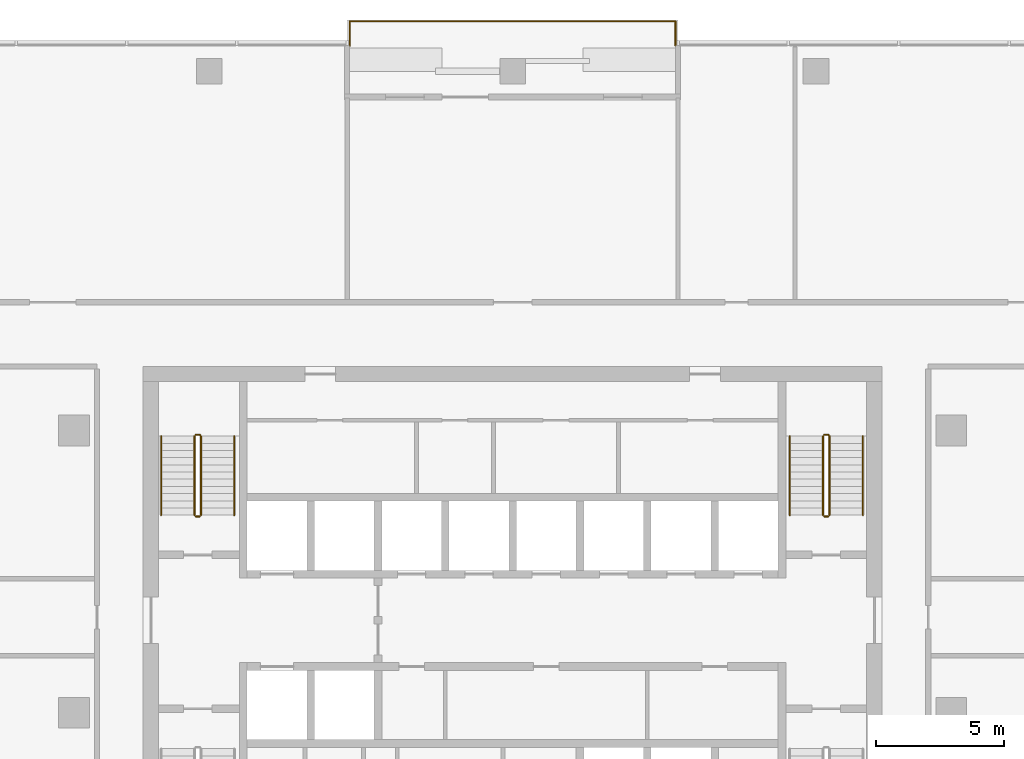
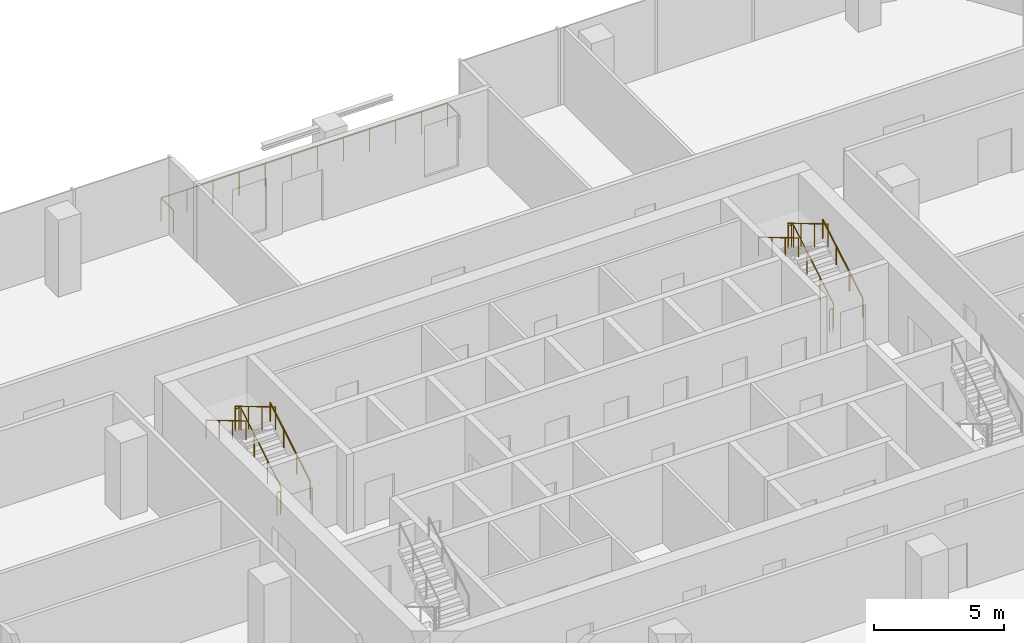
# One storey, part 13 of 13: 11 railings.
"""IFC4 building model written with IfcOpenShell, lengths in metres."""

from ifc_helpers import new_model, si_unit, direction, frame, origin, origin_2d, place, context, subcontext, project, spatial, circle, extrude, material, type_object, element, save


model = new_model("IFC4")

# Units and contexts
model_context = context("Model", 3, precision=1e-05, world=origin(), true_north=direction((0.0, 1.0)))
body_context = subcontext(model_context, "Body", "Model", "MODEL_VIEW")
ifc_project = project(units=[si_unit("LENGTHUNIT", "METRE"), si_unit("AREAUNIT", "SQUARE_METRE"), si_unit("VOLUMEUNIT", "CUBIC_METRE"), si_unit("PLANEANGLEUNIT", "RADIAN"), si_unit("MASSUNIT", "GRAM", prefix="KILO")], contexts=[model_context])

# Site, building, storey
site_placement = place(None, origin())
site = spatial("IfcSite", under=ifc_project, at=site_placement, CompositionType="ELEMENT")
building_placement = place(site_placement, origin())
building = spatial("IfcBuilding", under=site, at=building_placement, Name="Mopane Tessera Tower", CompositionType="ELEMENT")
storey_placement = place(building_placement, frame((0.0, 0.0, 283.39990234375)))
storey = spatial("IfcBuildingStorey", under=building, at=storey_placement, Name="L61", CompositionType="ELEMENT", Elevation=283.39990234375)

# Railings
ifc_material_1 = material(Name="Powder-coated steel balustrade", Category="steel")
railing_type_1 = type_object("IfcRailingType", Name="Escape stair guard 1100 mm", PredefinedType="GUARDRAIL", material=ifc_material_1)
railing_1_placement = place(storey_placement, frame((-12.14990234375, 7.699951171875, 0.166748046875)))
element("IfcRailing", 1, at=railing_1_placement, inside=storey, type_object=railing_type_1, Name="L61 ST2 stair guard 1", PredefinedType="GUARDRAIL", context=body_context, shape_type="SweptSolid", body=[
    extrude(circle(Radius=0.02392578125, at=origin_2d()), frame((0.0, 0.0, 1.076171875), z_axis=(0.0, 0.859308565015, 0.511457515432), x_axis=(-1.0, 0.0, 0.0)), (0.0, 0.0, 1.0), 3.58447265625),
    extrude(circle(Radius=0.02392578125, at=origin_2d()), frame((0.0, 3.080078125, 2.9091796875), z_axis=(-0.707106781187, 0.707106781187, 0.0), x_axis=(-0.707106781187, -0.707106781187, 0.0)), (0.0, 0.0, 1.0), 0.07080078125),
    extrude(circle(Radius=0.02392578125, at=origin_2d()), frame((-0.050048828125, 3.130126953125, 2.9091796875), z_axis=(-1.0, 0.0, 0.0), x_axis=(0.0, -1.0, 0.0)), (0.0, 0.0, 1.0), 0.150146484375),
    extrude(circle(Radius=0.02099609375, at=origin_2d()), origin(), (0.0, 0.0, 1.0), 1.052001953125),
    extrude(circle(Radius=0.02099609375, at=origin_2d()), frame((0.0, 1.026611328125, 0.611083984375)), (0.0, 0.0, 1.0), 1.052001953125),
    extrude(circle(Radius=0.02099609375, at=origin_2d()), frame((0.0, 2.053466796875, 1.22216796875)), (0.0, 0.0, 1.0), 1.052001953125),
    extrude(circle(Radius=0.02099609375, at=origin_2d()), frame((0.0, 3.080078125, 1.833251953125)), (0.0, 0.0, 1.0), 1.052001953125),
    extrude(circle(Radius=0.02099609375, at=origin_2d()), frame((-0.050048828125, 3.130126953125, 1.833251953125)), (0.0, 0.0, 1.0), 1.052001953125),
    extrude(circle(Radius=0.02099609375, at=origin_2d()), frame((-0.2001953125, 3.130126953125, 1.833251953125)), (0.0, 0.0, 1.0), 1.052001953125),
])
railing_2_placement = place(storey_placement, frame((-12.39990234375, 10.780029296875, 2.166748046875)))
element("IfcRailing", 2, at=railing_2_placement, inside=storey, type_object=railing_type_1, Name="L61 ST2 stair guard 2", PredefinedType="GUARDRAIL", context=body_context, shape_type="SweptSolid", body=[
    extrude(circle(Radius=0.02392578125, at=origin_2d()), frame((0.0, 0.0, 1.076171875), z_axis=(0.0, -0.859308565015, 0.511457515432), x_axis=(1.0, 0.0, 0.0)), (0.0, 0.0, 1.0), 3.58447265625),
    extrude(circle(Radius=0.02099609375, at=origin_2d()), origin(), (0.0, 0.0, 1.0), 1.052001953125),
    extrude(circle(Radius=0.02099609375, at=origin_2d()), frame((0.0, -1.026611328125, 0.611083984375)), (0.0, 0.0, 1.0), 1.052001953125),
    extrude(circle(Radius=0.02099609375, at=origin_2d()), frame((0.0, -2.053466796875, 1.22216796875)), (0.0, 0.0, 1.0), 1.052001953125),
    extrude(circle(Radius=0.02099609375, at=origin_2d()), frame((0.0, -3.080078125, 1.833251953125)), (0.0, 0.0, 1.0), 1.052001953125),
])
railing_3_placement = place(storey_placement, frame((-12.199951171875, 7.64990234375, 0.0)))
element("IfcRailing", 3, at=railing_3_placement, inside=storey, type_object=railing_type_1, Name="L61 ST2 stair guard 3", PredefinedType="GUARDRAIL", context=body_context, shape_type="SweptSolid", body=[
    extrude(circle(Radius=0.02392578125, at=origin_2d()), frame((0.0, 0.0, 1.076171875), z_axis=(-1.0, 0.0, 0.0), x_axis=(0.0, -1.0, 0.0)), (0.0, 0.0, 1.0), 0.150146484375),
    extrude(circle(Radius=0.02099609375, at=origin_2d()), origin(), (0.0, 0.0, 1.0), 1.052001953125),
    extrude(circle(Radius=0.02099609375, at=origin_2d()), frame((-0.150146484375, 0.0, 0.0)), (0.0, 0.0, 1.0), 1.052001953125),
])
railing_4_placement = place(storey_placement, frame((12.35009765625, 7.699951171875, 0.166748046875)))
element("IfcRailing", 4, at=railing_4_placement, inside=storey, type_object=railing_type_1, Name="L61 ST4 stair guard 1", PredefinedType="GUARDRAIL", context=body_context, shape_type="SweptSolid", body=[
    extrude(circle(Radius=0.02392578125, at=origin_2d()), frame((0.0, 0.0, 1.076171875), z_axis=(0.0, 0.859308565015, 0.511457515432), x_axis=(-1.0, 0.0, 0.0)), (0.0, 0.0, 1.0), 3.58447265625),
    extrude(circle(Radius=0.02392578125, at=origin_2d()), frame((0.0, 3.080078125, 2.9091796875), z_axis=(-0.707106781187, 0.707106781187, 0.0), x_axis=(-0.707106781187, -0.707106781187, 0.0)), (0.0, 0.0, 1.0), 0.07080078125),
    extrude(circle(Radius=0.02392578125, at=origin_2d()), frame((-0.050048828125, 3.130126953125, 2.9091796875), z_axis=(-1.0, 0.0, 0.0), x_axis=(0.0, -1.0, 0.0)), (0.0, 0.0, 1.0), 0.150146484375),
    extrude(circle(Radius=0.02099609375, at=origin_2d()), origin(), (0.0, 0.0, 1.0), 1.052001953125),
    extrude(circle(Radius=0.02099609375, at=origin_2d()), frame((0.0, 1.026611328125, 0.611083984375)), (0.0, 0.0, 1.0), 1.052001953125),
    extrude(circle(Radius=0.02099609375, at=origin_2d()), frame((0.0, 2.053466796875, 1.22216796875)), (0.0, 0.0, 1.0), 1.052001953125),
    extrude(circle(Radius=0.02099609375, at=origin_2d()), frame((0.0, 3.080078125, 1.833251953125)), (0.0, 0.0, 1.0), 1.052001953125),
    extrude(circle(Radius=0.02099609375, at=origin_2d()), frame((-0.050048828125, 3.130126953125, 1.833251953125)), (0.0, 0.0, 1.0), 1.052001953125),
    extrude(circle(Radius=0.02099609375, at=origin_2d()), frame((-0.2001953125, 3.130126953125, 1.833251953125)), (0.0, 0.0, 1.0), 1.052001953125),
])
railing_5_placement = place(storey_placement, frame((12.10009765625, 10.780029296875, 2.166748046875)))
element("IfcRailing", 5, at=railing_5_placement, inside=storey, type_object=railing_type_1, Name="L61 ST4 stair guard 2", PredefinedType="GUARDRAIL", context=body_context, shape_type="SweptSolid", body=[
    extrude(circle(Radius=0.02392578125, at=origin_2d()), frame((0.0, 0.0, 1.076171875), z_axis=(0.0, -0.859308565015, 0.511457515432), x_axis=(1.0, 0.0, 0.0)), (0.0, 0.0, 1.0), 3.58447265625),
    extrude(circle(Radius=0.02099609375, at=origin_2d()), origin(), (0.0, 0.0, 1.0), 1.052001953125),
    extrude(circle(Radius=0.02099609375, at=origin_2d()), frame((0.0, -1.026611328125, 0.611083984375)), (0.0, 0.0, 1.0), 1.052001953125),
    extrude(circle(Radius=0.02099609375, at=origin_2d()), frame((0.0, -2.053466796875, 1.22216796875)), (0.0, 0.0, 1.0), 1.052001953125),
    extrude(circle(Radius=0.02099609375, at=origin_2d()), frame((0.0, -3.080078125, 1.833251953125)), (0.0, 0.0, 1.0), 1.052001953125),
])
railing_6_placement = place(storey_placement, frame((12.300048828125, 7.64990234375, 0.0)))
element("IfcRailing", 6, at=railing_6_placement, inside=storey, type_object=railing_type_1, Name="L61 ST4 stair guard 3", PredefinedType="GUARDRAIL", context=body_context, shape_type="SweptSolid", body=[
    extrude(circle(Radius=0.02392578125, at=origin_2d()), frame((0.0, 0.0, 1.076171875), z_axis=(-1.0, 0.0, 0.0), x_axis=(0.0, -1.0, 0.0)), (0.0, 0.0, 1.0), 0.150146484375),
    extrude(circle(Radius=0.02099609375, at=origin_2d()), origin(), (0.0, 0.0, 1.0), 1.052001953125),
    extrude(circle(Radius=0.02099609375, at=origin_2d()), frame((-0.150146484375, 0.0, 0.0)), (0.0, 0.0, 1.0), 1.052001953125),
])
ifc_material_2 = material(Name="Powder-coated steel balustrade", Category="steel")
railing_type_2 = type_object("IfcRailingType", Name="Escape stair handrail 900 mm", PredefinedType="HANDRAIL", material=ifc_material_2)
railing_7_placement = place(storey_placement, frame((-10.85009765625, 7.699951171875, 0.166748046875)))
element("IfcRailing", 7, at=railing_7_placement, inside=storey, type_object=railing_type_2, Name="L61 ST2 stair handrail 1", PredefinedType="HANDRAIL", context=body_context, shape_type="SweptSolid", body=[
    extrude(circle(Radius=0.02392578125, at=origin_2d()), frame((0.0, 0.0, 0.8759765625), z_axis=(0.0, 0.859308565015, 0.511457515432), x_axis=(-1.0, 0.0, 0.0)), (0.0, 0.0, 1.0), 3.58447265625),
    extrude(circle(Radius=0.02099609375, at=origin_2d()), origin(), (0.0, 0.0, 1.0), 0.851806640625),
    extrude(circle(Radius=0.02099609375, at=origin_2d()), frame((0.0, 1.026611328125, 0.611083984375)), (0.0, 0.0, 1.0), 0.851806640625),
    extrude(circle(Radius=0.02099609375, at=origin_2d()), frame((0.0, 2.053466796875, 1.22216796875)), (0.0, 0.0, 1.0), 0.851806640625),
    extrude(circle(Radius=0.02099609375, at=origin_2d()), frame((0.0, 3.080078125, 1.833251953125)), (0.0, 0.0, 1.0), 0.851806640625),
])
railing_8_placement = place(storey_placement, frame((-13.699951171875, 10.780029296875, 2.166748046875)))
element("IfcRailing", 8, at=railing_8_placement, inside=storey, type_object=railing_type_2, Name="L61 ST2 stair handrail 2", PredefinedType="HANDRAIL", context=body_context, shape_type="SweptSolid", body=[
    extrude(circle(Radius=0.02392578125, at=origin_2d()), frame((0.0, 0.0, 0.8759765625), z_axis=(0.0, -0.859308565015, 0.511457515432), x_axis=(1.0, 0.0, 0.0)), (0.0, 0.0, 1.0), 3.58447265625),
    extrude(circle(Radius=0.02099609375, at=origin_2d()), origin(), (0.0, 0.0, 1.0), 0.851806640625),
    extrude(circle(Radius=0.02099609375, at=origin_2d()), frame((0.0, -1.026611328125, 0.611083984375)), (0.0, 0.0, 1.0), 0.851806640625),
    extrude(circle(Radius=0.02099609375, at=origin_2d()), frame((0.0, -2.053466796875, 1.22216796875)), (0.0, 0.0, 1.0), 0.851806640625),
    extrude(circle(Radius=0.02099609375, at=origin_2d()), frame((0.0, -3.080078125, 1.833251953125)), (0.0, 0.0, 1.0), 0.851806640625),
])
railing_9_placement = place(storey_placement, frame((13.64990234375, 7.699951171875, 0.166748046875)))
element("IfcRailing", 9, at=railing_9_placement, inside=storey, type_object=railing_type_2, Name="L61 ST4 stair handrail 1", PredefinedType="HANDRAIL", context=body_context, shape_type="SweptSolid", body=[
    extrude(circle(Radius=0.02392578125, at=origin_2d()), frame((0.0, 0.0, 0.8759765625), z_axis=(0.0, 0.859308565015, 0.511457515432), x_axis=(-1.0, 0.0, 0.0)), (0.0, 0.0, 1.0), 3.58447265625),
    extrude(circle(Radius=0.02099609375, at=origin_2d()), origin(), (0.0, 0.0, 1.0), 0.851806640625),
    extrude(circle(Radius=0.02099609375, at=origin_2d()), frame((0.0, 1.026611328125, 0.611083984375)), (0.0, 0.0, 1.0), 0.851806640625),
    extrude(circle(Radius=0.02099609375, at=origin_2d()), frame((0.0, 2.053466796875, 1.22216796875)), (0.0, 0.0, 1.0), 0.851806640625),
    extrude(circle(Radius=0.02099609375, at=origin_2d()), frame((0.0, 3.080078125, 1.833251953125)), (0.0, 0.0, 1.0), 0.851806640625),
])
railing_10_placement = place(storey_placement, frame((10.800048828125, 10.780029296875, 2.166748046875)))
element("IfcRailing", 10, at=railing_10_placement, inside=storey, type_object=railing_type_2, Name="L61 ST4 stair handrail 2", PredefinedType="HANDRAIL", context=body_context, shape_type="SweptSolid", body=[
    extrude(circle(Radius=0.02392578125, at=origin_2d()), frame((0.0, 0.0, 0.8759765625), z_axis=(0.0, -0.859308565015, 0.511457515432), x_axis=(1.0, 0.0, 0.0)), (0.0, 0.0, 1.0), 3.58447265625),
    extrude(circle(Radius=0.02099609375, at=origin_2d()), origin(), (0.0, 0.0, 1.0), 0.851806640625),
    extrude(circle(Radius=0.02099609375, at=origin_2d()), frame((0.0, -1.026611328125, 0.611083984375)), (0.0, 0.0, 1.0), 0.851806640625),
    extrude(circle(Radius=0.02099609375, at=origin_2d()), frame((0.0, -2.053466796875, 1.22216796875)), (0.0, 0.0, 1.0), 0.851806640625),
    extrude(circle(Radius=0.02099609375, at=origin_2d()), frame((0.0, -3.080078125, 1.833251953125)), (0.0, 0.0, 1.0), 0.851806640625),
])
ifc_material_3 = material(Name="Stainless steel S316", Category="steel")
railing_type_3 = type_object("IfcRailingType", Name="Terrace guard 1100", PredefinedType="GUARDRAIL", material=ifc_material_3)
railing_11_placement = place(storey_placement, frame((6.35009765625, 26.0, 0.0)))
element("IfcRailing", 11, at=railing_11_placement, inside=storey, type_object=railing_type_3, Name="e:nw:L61:N2:guard", PredefinedType="GUARDRAIL", context=body_context, shape_type="SweptSolid", body=[
    extrude(circle(Radius=0.02392578125, at=origin_2d()), frame((0.0, 0.0, 1.076171875), z_axis=(0.0, 1.0, 0.0), x_axis=(-1.0, 0.0, 0.0)), (0.0, 0.0, 1.0), 0.949951171875),
    extrude(circle(Radius=0.02392578125, at=origin_2d()), frame((0.0, 0.949951171875, 1.076171875), z_axis=(-1.0, 0.0, 0.0), x_axis=(0.0, -1.0, 0.0)), (0.0, 0.0, 1.0), 12.7001953125),
    extrude(circle(Radius=0.02392578125, at=origin_2d()), frame((-12.7001953125, 0.949951171875, 1.076171875), z_axis=(0.0, -1.0, 0.0), x_axis=(1.0, 0.0, 0.0)), (0.0, 0.0, 1.0), 0.949951171875),
    extrude(circle(Radius=0.02099609375, at=origin_2d()), origin(), (0.0, 0.0, 1.0), 1.052001953125),
    extrude(circle(Radius=0.02099609375, at=origin_2d()), frame((0.0, 0.949951171875, 0.0)), (0.0, 0.0, 1.0), 1.052001953125),
    extrude(circle(Radius=0.02099609375, at=origin_2d()), frame((-1.154541015625, 0.949951171875, 0.0)), (0.0, 0.0, 1.0), 1.052001953125),
    extrude(circle(Radius=0.02099609375, at=origin_2d()), frame((-2.30908203125, 0.949951171875, 0.0)), (0.0, 0.0, 1.0), 1.052001953125),
    extrude(circle(Radius=0.02099609375, at=origin_2d()), frame((-3.463623046875, 0.949951171875, 0.0)), (0.0, 0.0, 1.0), 1.052001953125),
    extrude(circle(Radius=0.02099609375, at=origin_2d()), frame((-4.6181640625, 0.949951171875, 0.0)), (0.0, 0.0, 1.0), 1.052001953125),
    extrude(circle(Radius=0.02099609375, at=origin_2d()), frame((-5.772705078125, 0.949951171875, 0.0)), (0.0, 0.0, 1.0), 1.052001953125),
    extrude(circle(Radius=0.02099609375, at=origin_2d()), frame((-6.927490234375, 0.949951171875, 0.0)), (0.0, 0.0, 1.0), 1.052001953125),
    extrude(circle(Radius=0.02099609375, at=origin_2d()), frame((-8.08203125, 0.949951171875, 0.0)), (0.0, 0.0, 1.0), 1.052001953125),
    extrude(circle(Radius=0.02099609375, at=origin_2d()), frame((-9.236572265625, 0.949951171875, 0.0)), (0.0, 0.0, 1.0), 1.052001953125),
    extrude(circle(Radius=0.02099609375, at=origin_2d()), frame((-10.39111328125, 0.949951171875, 0.0)), (0.0, 0.0, 1.0), 1.052001953125),
    extrude(circle(Radius=0.02099609375, at=origin_2d()), frame((-11.545654296875, 0.949951171875, 0.0)), (0.0, 0.0, 1.0), 1.052001953125),
    extrude(circle(Radius=0.02099609375, at=origin_2d()), frame((-12.7001953125, 0.949951171875, 0.0)), (0.0, 0.0, 1.0), 1.052001953125),
    extrude(circle(Radius=0.02099609375, at=origin_2d()), frame((-12.7001953125, 0.0, 0.0)), (0.0, 0.0, 1.0), 1.052001953125),
])

save(model, "model.ifc")
